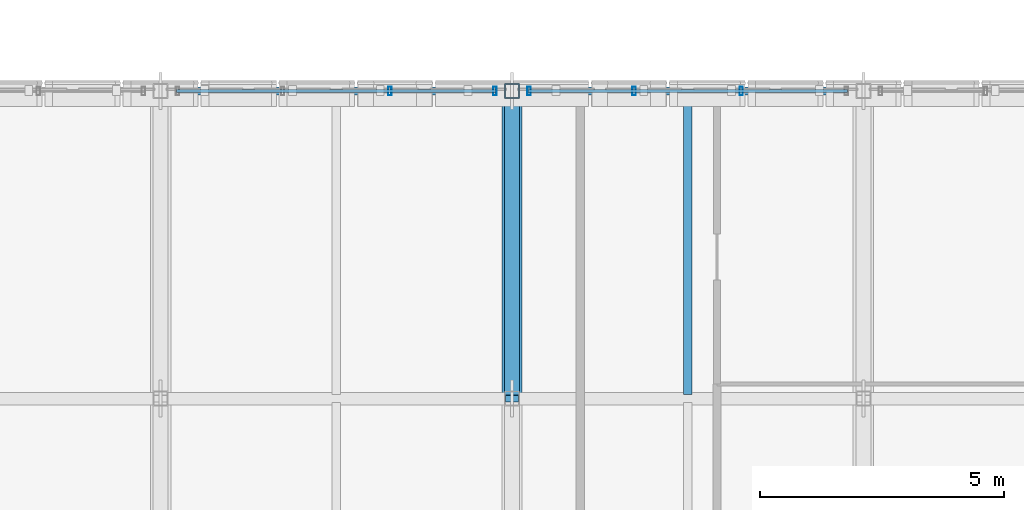
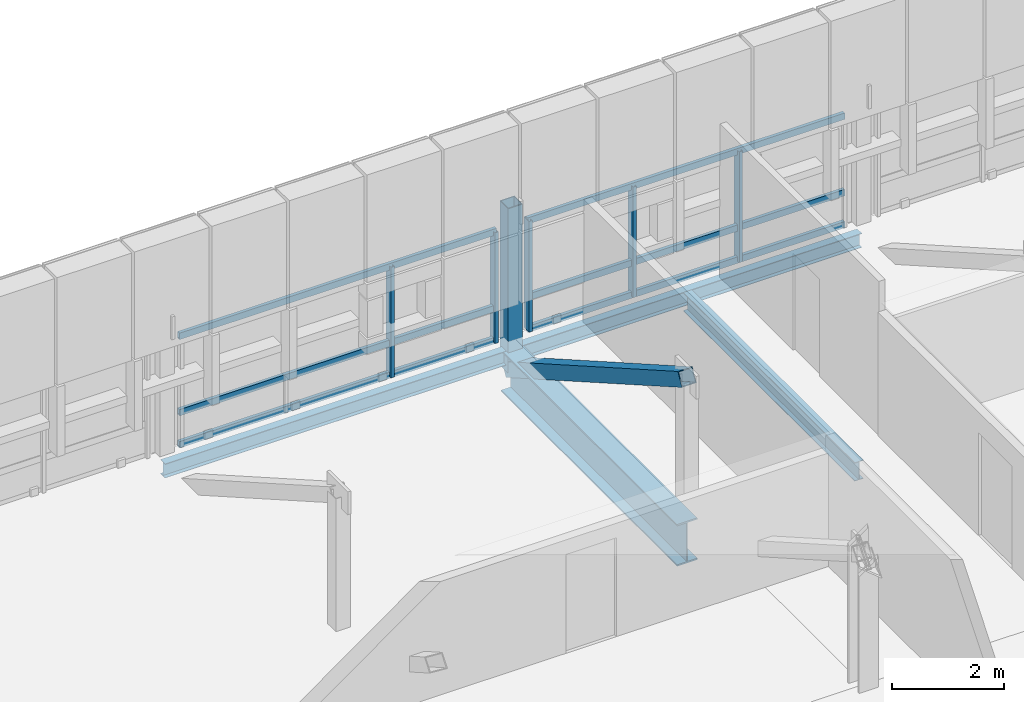
# One storey, part 25 of 96: 13 members, 4 beams, 2 elements without a shape of their own.
"""IFC4 building model written with IfcOpenShell, lengths in metres."""

from ifc_helpers import new_model, si_unit, direction, frame, origin, origin_2d, place, context, subcontext, project, spatial, hollow_rectangle, i_section, extrude, material, material_profile, profile_set, type_object, element, aggregate, save


model = new_model("IFC4")

# Units and contexts
model_context = context("Model", 3, precision=1e-05, world=origin(), true_north=direction((0.0, 1.0)))
body_context = subcontext(model_context, "Body", "Model", "MODEL_VIEW")
ifc_project = project(units=[si_unit("LENGTHUNIT", "METRE"), si_unit("AREAUNIT", "SQUARE_METRE"), si_unit("VOLUMEUNIT", "CUBIC_METRE"), si_unit("PLANEANGLEUNIT", "RADIAN"), si_unit("MASSUNIT", "GRAM", prefix="KILO")], contexts=[model_context])

# Site, building, storey
site_placement = place(None, origin())
site = spatial("IfcSite", under=ifc_project, at=site_placement, CompositionType="ELEMENT")
building_placement = place(site_placement, origin())
building = spatial("IfcBuilding", under=site, at=building_placement, Name="Yarey Park Central Fire Station", CompositionType="ELEMENT")
storey_placement = place(building_placement, frame((0.0, 0.0, 14.39990234375)))
storey = spatial("IfcBuildingStorey", under=building, at=storey_placement, Name="L04", CompositionType="ELEMENT", Elevation=14.39990234375)

# Curtain wall, members
ifc_material_1 = material(Name="Anodized Aluminium Frame", Category="aluminium")
curtain_wall_type = type_object("IfcCurtainWallType", Name="ENV_CW_V3_OVR2", PredefinedType="NOTDEFINED", material=ifc_material_1)
curtain_wall_1_placement = place(storey_placement, origin())
curtain_wall_1 = element("IfcCurtainWall", 1, at=curtain_wall_1_placement, inside=storey, type_object=curtain_wall_type, Name="CW_L04_V3_N_062", PredefinedType="NOTDEFINED")
ifc_material_profile_1 = material_profile(ifc_material_1, hollow_rectangle(XDim=0.070068359375, YDim=0.179931640625, WallThickness=0.00390625, at=origin_2d()), Name="ALU 180x70x4")
ifc_profile_set_1 = profile_set([ifc_material_profile_1], Name="Anodized Aluminium Frame")
member_type_1 = type_object("IfcMemberType", Name="ENV_CW_MULLION", PredefinedType="MULLION", material=ifc_profile_set_1)
member_1_placement = place(storey_placement, frame((42.85009765625, 99.0, 0.0), z_axis=(0.0, 0.0, 1.0), x_axis=(1.0, 0.0, 0.0)))
member_1 = element("IfcMember", 2, at=member_1_placement, type_object=member_type_1, Name="CW_L04_V3_N_062_MUL1", PredefinedType="MULLION", context=body_context, shape_type="SweptSolid", body=[
    extrude(hollow_rectangle(XDim=0.070068359375, YDim=0.179931640625, WallThickness=0.00390625, at=origin_2d()), origin(), (0.0, 0.0, 1.0), 2.420166015625),
])
member_2_placement = place(storey_placement, frame((40.69677734375, 99.0, 0.0), z_axis=(0.0, 0.0, 1.0), x_axis=(1.0, 0.0, 0.0)))
member_2 = element("IfcMember", 3, at=member_2_placement, type_object=member_type_1, Name="CW_L04_V3_N_062_MUL2", PredefinedType="MULLION", context=body_context, shape_type="SweptSolid", body=[
    extrude(hollow_rectangle(XDim=0.070068359375, YDim=0.179931640625, WallThickness=0.00390625, at=origin_2d()), origin(), (0.0, 0.0, 1.0), 2.420166015625),
])

curtain_wall_2_placement = place(storey_placement, origin())
curtain_wall_2 = element("IfcCurtainWall", 4, at=curtain_wall_2_placement, inside=storey, type_object=curtain_wall_type, Name="CW_L04_V3_N_063", PredefinedType="NOTDEFINED")
member_3_placement = place(storey_placement, frame((47.896728515625, 99.0, 0.0), z_axis=(0.0, 0.0, 1.0), x_axis=(1.0, 0.0, 0.0)))
member_3 = element("IfcMember", 5, at=member_3_placement, type_object=member_type_1, Name="CW_L04_V3_N_063_MUL2", PredefinedType="MULLION", context=body_context, shape_type="SweptSolid", body=[
    extrude(hollow_rectangle(XDim=0.070068359375, YDim=0.179931640625, WallThickness=0.00390625, at=origin_2d()), origin(), (0.0, 0.0, 1.0), 2.420166015625),
])
member_4_placement = place(storey_placement, frame((45.703369140625, 99.0, 0.0), z_axis=(0.0, 0.0, 1.0), x_axis=(1.0, 0.0, 0.0)))
member_4 = element("IfcMember", 6, at=member_4_placement, type_object=member_type_1, Name="CW_L04_V3_N_063_MUL3", PredefinedType="MULLION", context=body_context, shape_type="SweptSolid", body=[
    extrude(hollow_rectangle(XDim=0.070068359375, YDim=0.179931640625, WallThickness=0.00390625, at=origin_2d()), origin(), (0.0, 0.0, 1.0), 2.420166015625),
])
member_5_placement = place(storey_placement, frame((43.550048828125, 99.0, 0.0), z_axis=(0.0, 0.0, 1.0), x_axis=(1.0, 0.0, 0.0)))
member_5 = element("IfcMember", 7, at=member_5_placement, type_object=member_type_1, Name="CW_L04_V3_N_063_MUL4", PredefinedType="MULLION", context=body_context, shape_type="SweptSolid", body=[
    extrude(hollow_rectangle(XDim=0.070068359375, YDim=0.179931640625, WallThickness=0.00390625, at=origin_2d()), origin(), (0.0, 0.0, 1.0), 2.420166015625),
])

# Member
ifc_material_profile_2 = material_profile(ifc_material_1, hollow_rectangle(XDim=0.070068359375, YDim=0.139892578125, WallThickness=0.00390625, at=origin_2d()), Name="ALU 140x70x4")
ifc_profile_set_2 = profile_set([ifc_material_profile_2], Name="Anodized Aluminium Frame")
member_type_2 = type_object("IfcMemberType", Name="ENV_CW_TRANSOM", PredefinedType="USERDEFINED", material=ifc_profile_set_2)
member_6_placement = place(storey_placement, frame((42.875, 99.0, 0.025146484375), z_axis=(-1.0, 0.0, 0.0), x_axis=(0.0, -1.0, 0.0)))
member_6 = element("IfcMember", 8, at=member_6_placement, type_object=member_type_2, Name="CW_L04_V3_N_062_TRN1", ObjectType="TRANSOM", PredefinedType="USERDEFINED", context=body_context, shape_type="SweptSolid", body=[
    extrude(hollow_rectangle(XDim=0.070068359375, YDim=0.139892578125, WallThickness=0.00390625, at=origin_2d()), origin(), (0.0, 0.0, 1.0), 6.550048828125),
])

member_7_placement = place(storey_placement, frame((42.875, 99.0, 0.72607421875), z_axis=(-1.0, 0.0, 0.0), x_axis=(0.0, -1.0, 0.0)))
member_7 = element("IfcMember", 9, at=member_7_placement, type_object=member_type_2, Name="CW_L04_V3_N_062_TRN2", ObjectType="TRANSOM", PredefinedType="USERDEFINED", context=body_context, shape_type="SweptSolid", body=[
    extrude(hollow_rectangle(XDim=0.070068359375, YDim=0.139892578125, WallThickness=0.00390625, at=origin_2d()), origin(), (0.0, 0.0, 1.0), 6.550048828125),
])

member_8_placement = place(storey_placement, frame((42.875, 99.0, 2.39501953125), z_axis=(-1.0, 0.0, 0.0), x_axis=(0.0, -1.0, 0.0)))
member_8 = element("IfcMember", 10, at=member_8_placement, type_object=member_type_2, Name="CW_L04_V3_N_062_TRN3", ObjectType="TRANSOM", PredefinedType="USERDEFINED", context=body_context, shape_type="SweptSolid", body=[
    extrude(hollow_rectangle(XDim=0.070068359375, YDim=0.139892578125, WallThickness=0.00390625, at=origin_2d()), origin(), (0.0, 0.0, 1.0), 6.550048828125),
])

aggregate(curtain_wall_1, [member_1, member_2, member_6, member_7, member_8])

member_9_placement = place(storey_placement, frame((50.074951171875, 99.0, 0.025146484375), z_axis=(-1.0, 0.0, 0.0), x_axis=(0.0, -1.0, 0.0)))
member_9 = element("IfcMember", 11, at=member_9_placement, type_object=member_type_2, Name="CW_L04_V3_N_063_TRN1", ObjectType="TRANSOM", PredefinedType="USERDEFINED", context=body_context, shape_type="SweptSolid", body=[
    extrude(hollow_rectangle(XDim=0.070068359375, YDim=0.139892578125, WallThickness=0.00390625, at=origin_2d()), origin(), (0.0, 0.0, 1.0), 6.550048828125),
])

member_10_placement = place(storey_placement, frame((50.074951171875, 99.0, 0.72607421875), z_axis=(-1.0, 0.0, 0.0), x_axis=(0.0, -1.0, 0.0)))
member_10 = element("IfcMember", 12, at=member_10_placement, type_object=member_type_2, Name="CW_L04_V3_N_063_TRN2", ObjectType="TRANSOM", PredefinedType="USERDEFINED", context=body_context, shape_type="SweptSolid", body=[
    extrude(hollow_rectangle(XDim=0.070068359375, YDim=0.139892578125, WallThickness=0.00390625, at=origin_2d()), origin(), (0.0, 0.0, 1.0), 6.550048828125),
])

member_11_placement = place(storey_placement, frame((50.074951171875, 99.0, 2.39501953125), z_axis=(-1.0, 0.0, 0.0), x_axis=(0.0, -1.0, 0.0)))
member_11 = element("IfcMember", 13, at=member_11_placement, type_object=member_type_2, Name="CW_L04_V3_N_063_TRN3", ObjectType="TRANSOM", PredefinedType="USERDEFINED", context=body_context, shape_type="SweptSolid", body=[
    extrude(hollow_rectangle(XDim=0.070068359375, YDim=0.139892578125, WallThickness=0.00390625, at=origin_2d()), origin(), (0.0, 0.0, 1.0), 6.550048828125),
])

aggregate(curtain_wall_2, [member_3, member_4, member_5, member_9, member_10, member_11])

# Beams
ifc_material_2 = material(Name="Steel ASTM A992 Gr. 50", Category="steel")
ifc_material_profile_3 = material_profile(ifc_material_2, i_section(OverallWidth=0.41796875, OverallDepth=0.912109375, WebThickness=0.019287109375, FlangeThickness=0.031982421875, at=origin_2d()), Name="W920x342")
ifc_profile_set_3 = profile_set([ifc_material_profile_3], Name="Steel ASTM A992 Gr. 50")
beam_type_1 = type_object("IfcBeamType", Name="STR_BM_W920", PredefinedType="BEAM", material=ifc_profile_set_3)
beam_1_placement = place(storey_placement, frame((43.199951171875, 92.699951171875, -0.705810546875), z_axis=(0.0, 1.0, 0.0), x_axis=(-1.0, 0.0, 0.0)))
element("IfcBeam", 14, at=beam_1_placement, inside=storey, type_object=beam_type_1, Name="Transfer Truss TT3 L04 CH6", PredefinedType="BEAM", context=body_context, shape_type="SweptSolid", body=[
    extrude(i_section(OverallWidth=0.41796875, OverallDepth=0.912109375, WebThickness=0.019287109375, FlangeThickness=0.031982421875, at=origin_2d()), origin(), (0.0, 0.0, 1.0), 6.300048828125),
])
ifc_material_profile_4 = material_profile(ifc_material_2, i_section(OverallWidth=0.177978515625, OverallDepth=0.406982421875, WebThickness=0.0078125, FlangeThickness=0.0126953125, at=origin_2d()), Name="W410x60")
ifc_profile_set_4 = profile_set([ifc_material_profile_4], Name="Steel ASTM A992 Gr. 50")
beam_type_2 = type_object("IfcBeamType", Name="STR_JST_W410", PredefinedType="JOIST", material=ifc_profile_set_4)
beam_2_placement = place(storey_placement, frame((46.800048828125, 92.780029296875, -0.453369140625), z_axis=(0.0, 1.0, 0.0), x_axis=(-1.0, 0.0, 0.0)))
element("IfcBeam", 15, at=beam_2_placement, inside=storey, type_object=beam_type_2, Name="CANT JST L04 X468 Y927", PredefinedType="JOIST", context=body_context, shape_type="SweptSolid", body=[
    extrude(i_section(OverallWidth=0.177978515625, OverallDepth=0.406982421875, WebThickness=0.0078125, FlangeThickness=0.0126953125, at=origin_2d()), origin(), (0.0, 0.0, 1.0), 6.139892578125),
])

# Members
ifc_material_3 = material(Name="Steel ASTM A500 Gr. C", Category="steel")
ifc_material_profile_5 = material_profile(ifc_material_3, hollow_rectangle(XDim=0.300048828125, YDim=0.300048828125, WallThickness=0.01611328125, at=origin_2d()), Name="HSS 300x300x16")
ifc_profile_set_5 = profile_set([ifc_material_profile_5], Name="Steel ASTM A500 Gr. C")
member_type_3 = type_object("IfcMemberType", Name="STR_PRATT_HSS300", PredefinedType="BRACE", material=ifc_profile_set_5)
member_12_placement = place(storey_placement, frame((43.199951171875, 92.699951171875, 2.900146484375), z_axis=(0.0, 0.868239001029, -0.496146185203), x_axis=(-1.0, 0.0, 0.0)))
element("IfcMember", 16, at=member_12_placement, inside=storey, type_object=member_type_3, Name="TT3_L04_DIAG6", PredefinedType="BRACE", context=body_context, shape_type="SweptSolid", body=[
    extrude(hollow_rectangle(XDim=0.300048828125, YDim=0.300048828125, WallThickness=0.01611328125, at=origin_2d()), origin(), (0.0, 0.0, 1.0), 7.256103515625),
])
ifc_material_profile_6 = material_profile(ifc_material_3, hollow_rectangle(XDim=0.300048828125, YDim=0.300048828125, WallThickness=0.01611328125, at=origin_2d()), Name="HSS 300x300x16")
ifc_profile_set_6 = profile_set([ifc_material_profile_6], Name="Steel ASTM A500 Gr. C")
member_type_4 = type_object("IfcMemberType", Name="STR_PRATT_HSS300E", PredefinedType="BRACE", material=ifc_profile_set_6)
member_13_placement = place(storey_placement, frame((43.199951171875, 99.0, -0.699951171875), z_axis=(0.0, 0.0, 1.0), x_axis=(1.0, 0.0, 0.0)))
element("IfcMember", 17, at=member_13_placement, inside=storey, type_object=member_type_4, Name="TT3_L04_POST_990", PredefinedType="BRACE", context=body_context, shape_type="SweptSolid", body=[
    extrude(hollow_rectangle(XDim=0.300048828125, YDim=0.300048828125, WallThickness=0.01611328125, at=origin_2d()), origin(), (0.0, 0.0, 1.0), 3.60009765625),
])

# Beams
ifc_material_profile_7 = material_profile(ifc_material_2, i_section(OverallWidth=0.1650390625, OverallDepth=0.31005859375, WebThickness=0.005859375, FlangeThickness=0.009765625, at=origin_2d()), Name="W310x39")
ifc_profile_set_7 = profile_set([ifc_material_profile_7], Name="Steel ASTM A992 Gr. 50")
beam_type_3 = type_object("IfcBeamType", Name="STR_SPN_W310", PredefinedType="SPANDREL", material=ifc_profile_set_7)
for number, where, z_axis, x_axis, name in (
    (18, (36.0, 99.0, -0.40478515625), (1.0, 0.0, 0.0), (0.0, 1.0, 0.0), "CANT TIE L04 Y990 X36"),
    (19, (43.199951171875, 99.0, -0.40478515625), (1.0, 0.0, 0.0), (0.0, 1.0, 0.0), "CANT TIE L04 Y990 X43"),
):
    element("IfcBeam", number, at=place(storey_placement, frame(where, z_axis=z_axis, x_axis=x_axis)), inside=storey, type_object=beam_type_3, Name=name, PredefinedType="SPANDREL", context=body_context, shape_type="SweptSolid", body=[
        extrude(i_section(OverallWidth=0.1650390625, OverallDepth=0.31005859375, WebThickness=0.005859375, FlangeThickness=0.009765625, at=origin_2d()), origin(), (0.0, 0.0, 1.0), 7.199951171875),
    ])

save(model, "model.ifc")
